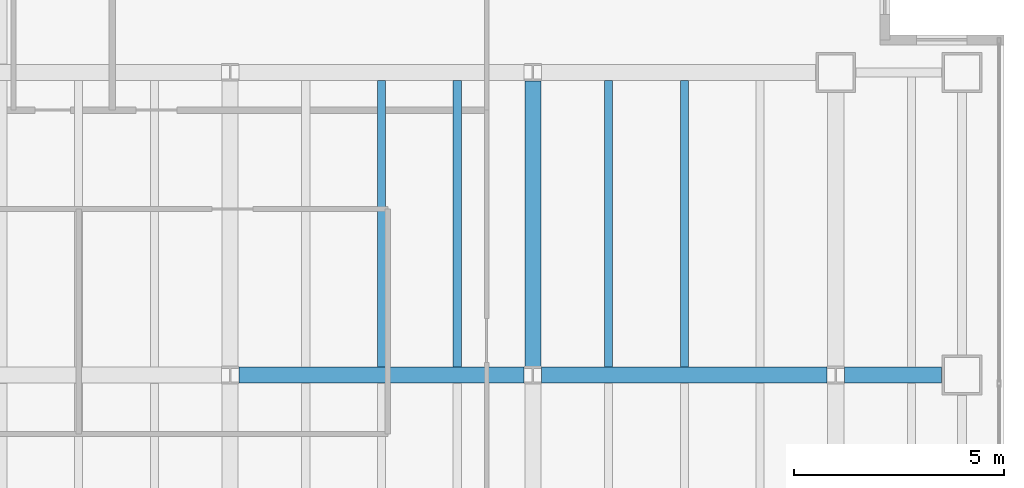
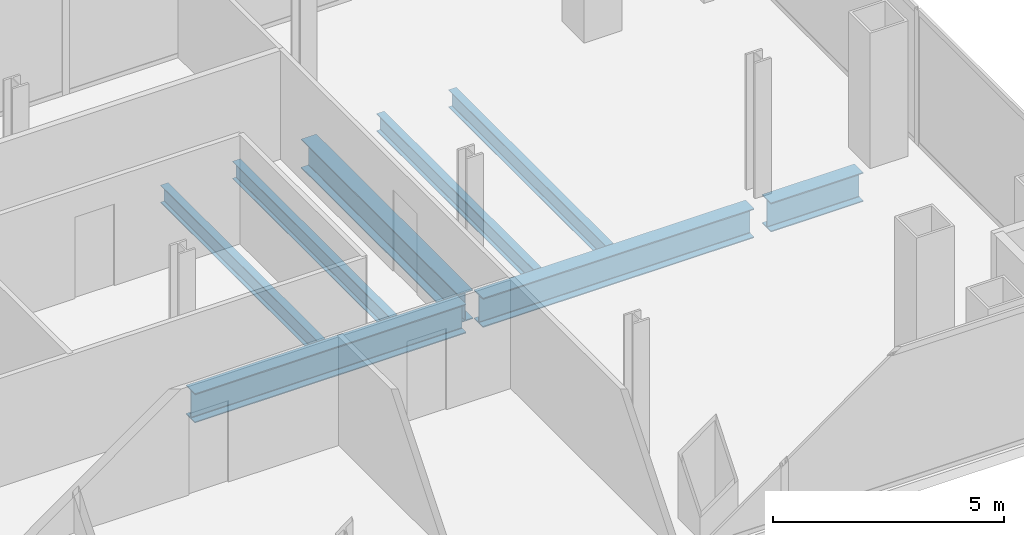
# One storey, part 12 of 23: 8 beams.
"""IFC4 building model written with IfcOpenShell, lengths in metres."""

from ifc_helpers import new_model, si_unit, direction, frame, origin, origin_2d, place, context, subcontext, project, spatial, i_section, extrude, material, material_profile, profile_set, type_object, element, save


model = new_model("IFC4")

# Units and contexts
model_context = context("Model", 3, precision=1e-05, world=origin(), true_north=direction((0.0, 1.0)))
body_context = subcontext(model_context, "Body", "Model", "MODEL_VIEW")
ifc_project = project(units=[si_unit("LENGTHUNIT", "METRE"), si_unit("AREAUNIT", "SQUARE_METRE"), si_unit("VOLUMEUNIT", "CUBIC_METRE"), si_unit("PLANEANGLEUNIT", "RADIAN"), si_unit("MASSUNIT", "GRAM", prefix="KILO")], contexts=[model_context])

# Site, building, storey
site_placement = place(None, origin())
site = spatial("IfcSite", under=ifc_project, at=site_placement, CompositionType="ELEMENT")
building_placement = place(site_placement, origin())
building = spatial("IfcBuilding", under=site, at=building_placement, Name="Cobrela Telecom Tower", CompositionType="ELEMENT")
storey_placement = place(building_placement, frame((0.0, 0.0, 113.75)))
storey = spatial("IfcBuildingStorey", under=building, at=storey_placement, Name="L28", CompositionType="ELEMENT", Elevation=113.75)

# Beams
ifc_material = material(Name="Steel ASTM A992 Grade 50", Category="steel")
ifc_material_profile_1 = material_profile(ifc_material, i_section(OverallWidth=0.381103515625, OverallDepth=0.77197265625, WebThickness=0.0166015625, FlangeThickness=0.027099609375, FilletRadius=0.01904296875, at=origin_2d()), Name="W30X173")
ifc_profile_set_1 = profile_set([ifc_material_profile_1], Name="Steel ASTM A992 Grade 50")
beam_type_1 = type_object("IfcBeamType", Name="BM-GIRD-04", PredefinedType="USERDEFINED", material=ifc_profile_set_1)
for number, where, z_axis, x_axis, name in (
    (1, (29.009521484375, 14.39990234375, -0.656005859375), (1.0, 0.0, 0.0), (0.0, 1.0, 0.0), "L28 Primary Girder X15"),
    (2, (36.20947265625, 14.39990234375, -0.656005859375), (1.0, 0.0, 0.0), (0.0, 1.0, 0.0), "L28 Primary Girder X16"),
):
    element("IfcBeam", number, at=place(storey_placement, frame(where, z_axis=z_axis, x_axis=x_axis)), inside=storey, type_object=beam_type_1, Name=name, ObjectType="GIRDER", PredefinedType="USERDEFINED", context=body_context, shape_type="SweptSolid", body=[
        extrude(i_section(OverallWidth=0.381103515625, OverallDepth=0.77197265625, WebThickness=0.0166015625, FlangeThickness=0.027099609375, FilletRadius=0.01904296875, at=origin_2d()), origin(), (0.0, 0.0, 1.0), 6.781005859375),
    ])
beam_1_placement = place(storey_placement, frame((43.409423828125, 14.39990234375, -0.656005859375), z_axis=(1.0, 0.0, 0.0), x_axis=(0.0, 1.0, 0.0)))
element("IfcBeam", 3, at=beam_1_placement, inside=storey, type_object=beam_type_1, Name="L28 Primary Girder X17", ObjectType="GIRDER", PredefinedType="USERDEFINED", context=body_context, shape_type="SweptSolid", body=[
    extrude(i_section(OverallWidth=0.381103515625, OverallDepth=0.77197265625, WebThickness=0.0166015625, FlangeThickness=0.027099609375, FilletRadius=0.01904296875, at=origin_2d()), origin(), (0.0, 0.0, 1.0), 2.310546875),
])
beam_2_placement = place(storey_placement, frame((36.0, 14.609619140625, -0.656005859375), z_axis=(0.0, 1.0, 0.0), x_axis=(-1.0, 0.0, 0.0)))
element("IfcBeam", 4, at=beam_2_placement, inside=storey, type_object=beam_type_1, Name="L28 Primary Girder Y51", ObjectType="GIRDER", PredefinedType="USERDEFINED", context=body_context, shape_type="SweptSolid", body=[
    extrude(i_section(OverallWidth=0.381103515625, OverallDepth=0.77197265625, WebThickness=0.0166015625, FlangeThickness=0.027099609375, FilletRadius=0.01904296875, at=origin_2d()), origin(), (0.0, 0.0, 1.0), 6.78076171875),
])
ifc_material_profile_2 = material_profile(ifc_material, i_section(OverallWidth=0.193115234375, OverallDepth=0.467041015625, WebThickness=0.011474609375, FlangeThickness=0.01904296875, FilletRadius=0.012939453125, at=origin_2d()), Name="W18X65")
ifc_profile_set_2 = profile_set([ifc_material_profile_2], Name="Steel ASTM A992 Grade 50")
beam_type_2 = type_object("IfcBeamType", Name="BM-JOIST-03", PredefinedType="JOIST", material=ifc_profile_set_2)
for number, where, z_axis, x_axis, name in (
    (5, (32.39990234375, 14.595458984375, -0.50341796875), (0.0, 1.0, 0.0), (-1.0, 0.0, 0.0), "L28 Secondary Composite Floor Beam J30"),
    (6, (34.199951171875, 14.595458984375, -0.50341796875), (0.0, 1.0, 0.0), (-1.0, 0.0, 0.0), "L28 Secondary Composite Floor Beam J32"),
    (7, (37.800048828125, 14.595458984375, -0.50341796875), (0.0, 1.0, 0.0), (-1.0, 0.0, 0.0), "L28 Secondary Composite Floor Beam J34"),
    (8, (39.60009765625, 14.595458984375, -0.50341796875), (0.0, 1.0, 0.0), (-1.0, 0.0, 0.0), "L28 Secondary Composite Floor Beam J36"),
):
    element("IfcBeam", number, at=place(storey_placement, frame(where, z_axis=z_axis, x_axis=x_axis)), inside=storey, type_object=beam_type_2, Name=name, PredefinedType="JOIST", context=body_context, shape_type="SweptSolid", body=[
        extrude(i_section(OverallWidth=0.193115234375, OverallDepth=0.467041015625, WebThickness=0.011474609375, FlangeThickness=0.01904296875, FilletRadius=0.012939453125, at=origin_2d()), origin(), (0.0, 0.0, 1.0), 6.80908203125),
    ])

save(model, "model.ifc")
